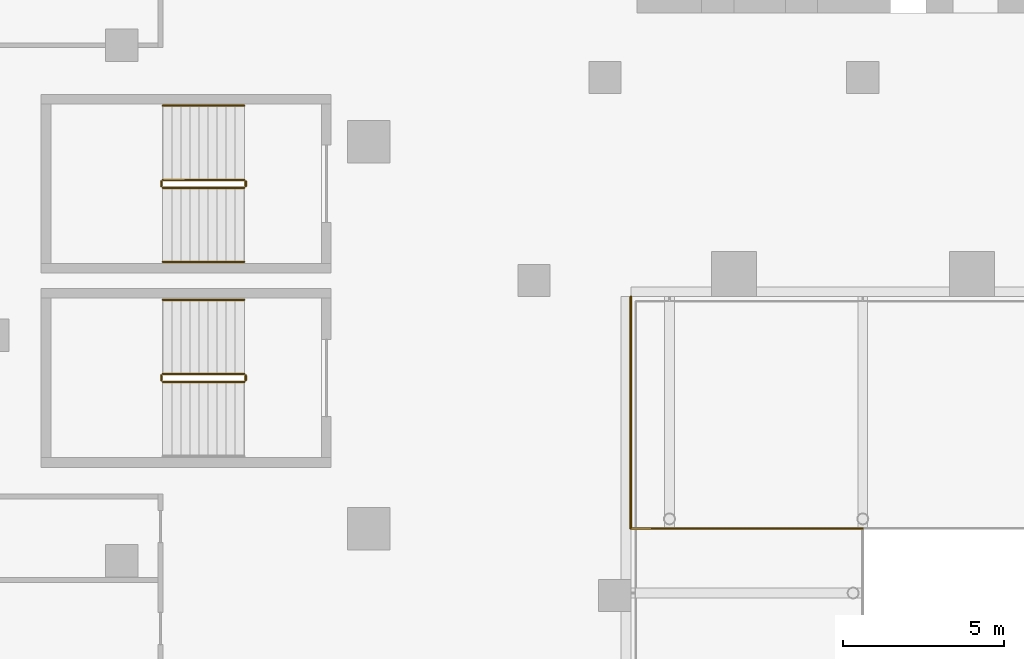
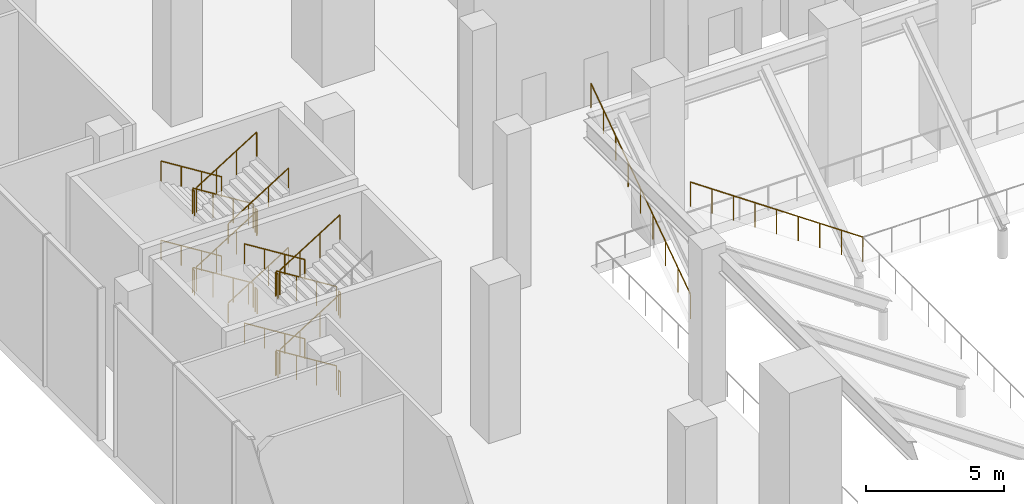
# One storey, part 34 of 41: 24 railings.
"""IFC4 building model written with IfcOpenShell, lengths in metres."""

from ifc_helpers import new_model, si_unit, direction, frame, origin, origin_2d, place, context, subcontext, project, spatial, circle, extrude, material, type_object, element, save


model = new_model("IFC4")

# Units and contexts
model_context = context("Model", 3, precision=1e-05, world=origin(), true_north=direction((0.0, 1.0)))
body_context = subcontext(model_context, "Body", "Model", "MODEL_VIEW")
ifc_project = project(units=[si_unit("LENGTHUNIT", "METRE"), si_unit("AREAUNIT", "SQUARE_METRE"), si_unit("VOLUMEUNIT", "CUBIC_METRE"), si_unit("PLANEANGLEUNIT", "RADIAN"), si_unit("MASSUNIT", "GRAM", prefix="KILO")], contexts=[model_context])

# Site, building, storey
site_placement = place(None, origin())
site = spatial("IfcSite", under=ifc_project, at=site_placement, CompositionType="ELEMENT")
building_placement = place(site_placement, origin())
building = spatial("IfcBuilding", under=site, at=building_placement, Name="Wharfspan Tower", CompositionType="ELEMENT")
storey_placement = place(building_placement, frame((0.0, 0.0, 8.0)))
storey = spatial("IfcBuildingStorey", under=building, at=storey_placement, Name="L01", CompositionType="ELEMENT", Elevation=8.0)

# Railings
ifc_material = material(Name="Steel S355J2", Category="steel")
railing_type_1 = type_object("IfcRailingType", Name="Guard 1100", PredefinedType="GUARDRAIL", material=ifc_material)
railing_1_placement = place(storey_placement, frame((16.0, 18.0, 2.050049)))
element("IfcRailing", 1, at=railing_1_placement, inside=storey, type_object=railing_type_1, Name="Guard on the upper tier", PredefinedType="GUARDRAIL", context=body_context, shape_type="SweptSolid", body=[
    extrude(circle(Radius=0.024902, at=origin_2d()), frame((0.0, 0.0, 1.075195), z_axis=(-0.824043, 0.0, 0.566528), x_axis=(0.0, -1.0, 0.0)), (0.0, 0.0, 1.0), 8.737305),
    extrude(circle(Radius=0.02002, at=origin_2d()), origin(), (0.0, 0.0, 1.0), 1.050049),
    extrude(circle(Radius=0.02002, at=origin_2d()), frame((-0.899902, 0.0, 0.618652)), (0.0, 0.0, 1.0), 1.050049),
    extrude(circle(Radius=0.02002, at=origin_2d()), frame((-1.800049, 0.0, 1.237549)), (0.0, 0.0, 1.0), 1.050049),
    extrude(circle(Radius=0.02002, at=origin_2d()), frame((-2.699951, 0.0, 1.856201)), (0.0, 0.0, 1.0), 1.050049),
    extrude(circle(Radius=0.02002, at=origin_2d()), frame((-3.600098, 0.0, 2.475098)), (0.0, 0.0, 1.0), 1.050049),
    extrude(circle(Radius=0.02002, at=origin_2d()), frame((-4.5, 0.0, 3.09375)), (0.0, 0.0, 1.0), 1.050049),
    extrude(circle(Radius=0.02002, at=origin_2d()), frame((-5.399902, 0.0, 3.712402)), (0.0, 0.0, 1.0), 1.050049),
    extrude(circle(Radius=0.02002, at=origin_2d()), frame((-6.300049, 0.0, 4.331299)), (0.0, 0.0, 1.0), 1.050049),
    extrude(circle(Radius=0.02002, at=origin_2d()), frame((-7.199951, 0.0, 4.949951)), (0.0, 0.0, 1.0), 1.050049),
])
railing_2_placement = place(storey_placement, frame((8.800049, 18.0, 2.050049)))
element("IfcRailing", 2, at=railing_2_placement, inside=storey, type_object=railing_type_1, Name="Guard on the upper tier", PredefinedType="GUARDRAIL", context=body_context, shape_type="SweptSolid", body=[
    extrude(circle(Radius=0.024902, at=origin_2d()), frame((0.0, 0.0, 1.075195), z_axis=(0.0, 0.824043, 0.566528), x_axis=(-1.0, 0.0, 0.0)), (0.0, 0.0, 1.0), 8.737305),
    extrude(circle(Radius=0.02002, at=origin_2d()), origin(), (0.0, 0.0, 1.0), 1.050049),
    extrude(circle(Radius=0.02002, at=origin_2d()), frame((0.0, 0.899902, 0.618652)), (0.0, 0.0, 1.0), 1.050049),
    extrude(circle(Radius=0.02002, at=origin_2d()), frame((0.0, 1.800049, 1.237549)), (0.0, 0.0, 1.0), 1.050049),
    extrude(circle(Radius=0.02002, at=origin_2d()), frame((0.0, 2.699951, 1.856201)), (0.0, 0.0, 1.0), 1.050049),
    extrude(circle(Radius=0.02002, at=origin_2d()), frame((0.0, 3.600098, 2.475098)), (0.0, 0.0, 1.0), 1.050049),
    extrude(circle(Radius=0.02002, at=origin_2d()), frame((0.0, 4.5, 3.09375)), (0.0, 0.0, 1.0), 1.050049),
    extrude(circle(Radius=0.02002, at=origin_2d()), frame((0.0, 5.399902, 3.712402)), (0.0, 0.0, 1.0), 1.050049),
    extrude(circle(Radius=0.02002, at=origin_2d()), frame((0.0, 6.300049, 4.331299)), (0.0, 0.0, 1.0), 1.050049),
    extrude(circle(Radius=0.02002, at=origin_2d()), frame((0.0, 7.199951, 4.949951)), (0.0, 0.0, 1.0), 1.050049),
])
railing_type_2 = type_object("IfcRailingType", Name="Podium guard 1100", PredefinedType="GUARDRAIL", material=ifc_material)
railing_3_placement = place(storey_placement, frame((-3.199951, 22.800049, 0.175049)))
element("IfcRailing", 3, at=railing_3_placement, inside=storey, type_object=railing_type_2, Name="L01 AS3 stair guard 1", PredefinedType="GUARDRAIL", context=body_context, shape_type="SweptSolid", body=[
    extrude(circle(Radius=0.023926, at=origin_2d()), frame((0.0, 0.0, 1.076172), z_axis=(-0.848008, 0.0, 0.529984), x_axis=(0.0, -1.0, 0.0)), (0.0, 0.0, 1.0), 2.97168),
    extrude(circle(Radius=0.020996, at=origin_2d()), origin(), (0.0, 0.0, 1.0), 1.052002),
    extrude(circle(Radius=0.020996, at=origin_2d()), frame((-0.840088, 0.0, 0.524902)), (0.0, 0.0, 1.0), 1.052002),
    extrude(circle(Radius=0.020996, at=origin_2d()), frame((-1.679932, 0.0, 1.050049)), (0.0, 0.0, 1.0), 1.052002),
    extrude(circle(Radius=0.020996, at=origin_2d()), frame((-2.52002, 0.0, 1.574951)), (0.0, 0.0, 1.0), 1.052002),
])
railing_4_placement = place(storey_placement, frame((-5.77002, 22.75, 1.75)))
element("IfcRailing", 4, at=railing_4_placement, inside=storey, type_object=railing_type_2, Name="L01 AS3 stair guard 2", PredefinedType="GUARDRAIL", context=body_context, shape_type="SweptSolid", body=[
    extrude(circle(Radius=0.023926, at=origin_2d()), frame((0.0, 0.0, 1.076172), z_axis=(0.0, -1.0, 0.0), x_axis=(1.0, 0.0, 0.0)), (0.0, 0.0, 1.0), 0.149902),
    extrude(circle(Radius=0.020996, at=origin_2d()), origin(), (0.0, 0.0, 1.0), 1.052002),
    extrude(circle(Radius=0.020996, at=origin_2d()), frame((0.0, -0.149902, 0.0)), (0.0, 0.0, 1.0), 1.052002),
])
railing_5_placement = place(storey_placement, frame((-5.719971, 22.550049, 1.925049)))
element("IfcRailing", 5, at=railing_5_placement, inside=storey, type_object=railing_type_2, Name="L01 AS3 stair guard 3", PredefinedType="GUARDRAIL", context=body_context, shape_type="SweptSolid", body=[
    extrude(circle(Radius=0.023926, at=origin_2d()), frame((0.0, 0.0, 1.076172), z_axis=(0.848008, 0.0, 0.529984), x_axis=(0.0, 1.0, 0.0)), (0.0, 0.0, 1.0), 2.97168),
    extrude(circle(Radius=0.020996, at=origin_2d()), origin(), (0.0, 0.0, 1.0), 1.052002),
    extrude(circle(Radius=0.020996, at=origin_2d()), frame((0.840088, 0.0, 0.524902)), (0.0, 0.0, 1.0), 1.052002),
    extrude(circle(Radius=0.020996, at=origin_2d()), frame((1.679932, 0.0, 1.050049)), (0.0, 0.0, 1.0), 1.052002),
    extrude(circle(Radius=0.020996, at=origin_2d()), frame((2.52002, 0.0, 1.574951)), (0.0, 0.0, 1.0), 1.052002),
])
railing_6_placement = place(storey_placement, frame((-3.149902, 22.75, 3.5)))
element("IfcRailing", 6, at=railing_6_placement, inside=storey, type_object=railing_type_2, Name="L01 AS3 stair guard 4", PredefinedType="GUARDRAIL", context=body_context, shape_type="SweptSolid", body=[
    extrude(circle(Radius=0.023926, at=origin_2d()), frame((0.0, 0.0, 1.076172), z_axis=(0.0, -1.0, 0.0), x_axis=(1.0, 0.0, 0.0)), (0.0, 0.0, 1.0), 0.149902),
    extrude(circle(Radius=0.020996, at=origin_2d()), origin(), (0.0, 0.0, 1.0), 1.052002),
    extrude(circle(Radius=0.020996, at=origin_2d()), frame((0.0, -0.149902, 0.0)), (0.0, 0.0, 1.0), 1.052002),
])
railing_7_placement = place(storey_placement, frame((-3.199951, 22.800049, 3.675049)))
element("IfcRailing", 7, at=railing_7_placement, inside=storey, type_object=railing_type_2, Name="L01 AS3 stair guard 5", PredefinedType="GUARDRAIL", context=body_context, shape_type="SweptSolid", body=[
    extrude(circle(Radius=0.023926, at=origin_2d()), frame((0.0, 0.0, 1.076172), z_axis=(-0.848008, 0.0, 0.529984), x_axis=(0.0, -1.0, 0.0)), (0.0, 0.0, 1.0), 2.97168),
    extrude(circle(Radius=0.020996, at=origin_2d()), origin(), (0.0, 0.0, 1.0), 1.052002),
    extrude(circle(Radius=0.020996, at=origin_2d()), frame((-0.840088, 0.0, 0.524902)), (0.0, 0.0, 1.0), 1.052002),
    extrude(circle(Radius=0.020996, at=origin_2d()), frame((-1.679932, 0.0, 1.050049)), (0.0, 0.0, 1.0), 1.052002),
    extrude(circle(Radius=0.020996, at=origin_2d()), frame((-2.52002, 0.0, 1.574951)), (0.0, 0.0, 1.0), 1.052002),
])
railing_8_placement = place(storey_placement, frame((-5.77002, 22.75, 5.25)))
element("IfcRailing", 8, at=railing_8_placement, inside=storey, type_object=railing_type_2, Name="L01 AS3 stair guard 6", PredefinedType="GUARDRAIL", context=body_context, shape_type="SweptSolid", body=[
    extrude(circle(Radius=0.023926, at=origin_2d()), frame((0.0, 0.0, 1.076172), z_axis=(0.0, -1.0, 0.0), x_axis=(1.0, 0.0, 0.0)), (0.0, 0.0, 1.0), 0.149902),
    extrude(circle(Radius=0.020996, at=origin_2d()), origin(), (0.0, 0.0, 1.0), 1.052002),
    extrude(circle(Radius=0.020996, at=origin_2d()), frame((0.0, -0.149902, 0.0)), (0.0, 0.0, 1.0), 1.052002),
])
railing_9_placement = place(storey_placement, frame((-5.719971, 22.550049, 5.425049)))
element("IfcRailing", 9, at=railing_9_placement, inside=storey, type_object=railing_type_2, Name="L01 AS3 stair guard 7", PredefinedType="GUARDRAIL", context=body_context, shape_type="SweptSolid", body=[
    extrude(circle(Radius=0.023926, at=origin_2d()), frame((0.0, 0.0, 1.076172), z_axis=(0.848008, 0.0, 0.529984), x_axis=(0.0, 1.0, 0.0)), (0.0, 0.0, 1.0), 2.97168),
    extrude(circle(Radius=0.020996, at=origin_2d()), origin(), (0.0, 0.0, 1.0), 1.052002),
    extrude(circle(Radius=0.020996, at=origin_2d()), frame((0.840088, 0.0, 0.524902)), (0.0, 0.0, 1.0), 1.052002),
    extrude(circle(Radius=0.020996, at=origin_2d()), frame((1.679932, 0.0, 1.050049)), (0.0, 0.0, 1.0), 1.052002),
    extrude(circle(Radius=0.020996, at=origin_2d()), frame((2.52002, 0.0, 1.574951)), (0.0, 0.0, 1.0), 1.052002),
])
railing_10_placement = place(storey_placement, frame((-3.149902, 22.75, 0.0)))
element("IfcRailing", 10, at=railing_10_placement, inside=storey, type_object=railing_type_2, Name="L01 AS3 stair guard 8", PredefinedType="GUARDRAIL", context=body_context, shape_type="SweptSolid", body=[
    extrude(circle(Radius=0.023926, at=origin_2d()), frame((0.0, 0.0, 1.076172), z_axis=(0.0, -1.0, 0.0), x_axis=(1.0, 0.0, 0.0)), (0.0, 0.0, 1.0), 0.149902),
    extrude(circle(Radius=0.020996, at=origin_2d()), origin(), (0.0, 0.0, 1.0), 1.052002),
    extrude(circle(Radius=0.020996, at=origin_2d()), frame((0.0, -0.149902, 0.0)), (0.0, 0.0, 1.0), 1.052002),
])
railing_11_placement = place(storey_placement, frame((-3.199951, 28.824951, 0.175049)))
element("IfcRailing", 11, at=railing_11_placement, inside=storey, type_object=railing_type_2, Name="L01 PS3 stair guard 1", PredefinedType="GUARDRAIL", context=body_context, shape_type="SweptSolid", body=[
    extrude(circle(Radius=0.023926, at=origin_2d()), frame((0.0, 0.0, 1.076172), z_axis=(-0.848008, 0.0, 0.529984), x_axis=(0.0, -1.0, 0.0)), (0.0, 0.0, 1.0), 2.97168),
    extrude(circle(Radius=0.020996, at=origin_2d()), origin(), (0.0, 0.0, 1.0), 1.052002),
    extrude(circle(Radius=0.020996, at=origin_2d()), frame((-0.840088, 0.0, 0.524902)), (0.0, 0.0, 1.0), 1.052002),
    extrude(circle(Radius=0.020996, at=origin_2d()), frame((-1.679932, 0.0, 1.050049)), (0.0, 0.0, 1.0), 1.052002),
    extrude(circle(Radius=0.020996, at=origin_2d()), frame((-2.52002, 0.0, 1.574951)), (0.0, 0.0, 1.0), 1.052002),
])
railing_12_placement = place(storey_placement, frame((-5.77002, 28.774902, 1.75)))
element("IfcRailing", 12, at=railing_12_placement, inside=storey, type_object=railing_type_2, Name="L01 PS3 stair guard 2", PredefinedType="GUARDRAIL", context=body_context, shape_type="SweptSolid", body=[
    extrude(circle(Radius=0.023926, at=origin_2d()), frame((0.0, 0.0, 1.076172), z_axis=(0.0, -1.0, 0.0), x_axis=(1.0, 0.0, 0.0)), (0.0, 0.0, 1.0), 0.149902),
    extrude(circle(Radius=0.020996, at=origin_2d()), origin(), (0.0, 0.0, 1.0), 1.052002),
    extrude(circle(Radius=0.020996, at=origin_2d()), frame((0.0, -0.149902, 0.0)), (0.0, 0.0, 1.0), 1.052002),
])
railing_13_placement = place(storey_placement, frame((-5.719971, 28.574951, 1.925049)))
element("IfcRailing", 13, at=railing_13_placement, inside=storey, type_object=railing_type_2, Name="L01 PS3 stair guard 3", PredefinedType="GUARDRAIL", context=body_context, shape_type="SweptSolid", body=[
    extrude(circle(Radius=0.023926, at=origin_2d()), frame((0.0, 0.0, 1.076172), z_axis=(0.848008, 0.0, 0.529984), x_axis=(0.0, 1.0, 0.0)), (0.0, 0.0, 1.0), 2.97168),
    extrude(circle(Radius=0.020996, at=origin_2d()), origin(), (0.0, 0.0, 1.0), 1.052002),
    extrude(circle(Radius=0.020996, at=origin_2d()), frame((0.840088, 0.0, 0.524902)), (0.0, 0.0, 1.0), 1.052002),
    extrude(circle(Radius=0.020996, at=origin_2d()), frame((1.679932, 0.0, 1.050049)), (0.0, 0.0, 1.0), 1.052002),
    extrude(circle(Radius=0.020996, at=origin_2d()), frame((2.52002, 0.0, 1.574951)), (0.0, 0.0, 1.0), 1.052002),
])
railing_14_placement = place(storey_placement, frame((-3.149902, 28.774902, 3.5)))
element("IfcRailing", 14, at=railing_14_placement, inside=storey, type_object=railing_type_2, Name="L01 PS3 stair guard 4", PredefinedType="GUARDRAIL", context=body_context, shape_type="SweptSolid", body=[
    extrude(circle(Radius=0.023926, at=origin_2d()), frame((0.0, 0.0, 1.076172), z_axis=(0.0, -1.0, 0.0), x_axis=(1.0, 0.0, 0.0)), (0.0, 0.0, 1.0), 0.149902),
    extrude(circle(Radius=0.020996, at=origin_2d()), origin(), (0.0, 0.0, 1.0), 1.052002),
    extrude(circle(Radius=0.020996, at=origin_2d()), frame((0.0, -0.149902, 0.0)), (0.0, 0.0, 1.0), 1.052002),
])
railing_15_placement = place(storey_placement, frame((-3.199951, 28.824951, 3.675049)))
element("IfcRailing", 15, at=railing_15_placement, inside=storey, type_object=railing_type_2, Name="L01 PS3 stair guard 5", PredefinedType="GUARDRAIL", context=body_context, shape_type="SweptSolid", body=[
    extrude(circle(Radius=0.023926, at=origin_2d()), frame((0.0, 0.0, 1.076172), z_axis=(-0.848008, 0.0, 0.529984), x_axis=(0.0, -1.0, 0.0)), (0.0, 0.0, 1.0), 2.97168),
    extrude(circle(Radius=0.020996, at=origin_2d()), origin(), (0.0, 0.0, 1.0), 1.052002),
    extrude(circle(Radius=0.020996, at=origin_2d()), frame((-0.840088, 0.0, 0.524902)), (0.0, 0.0, 1.0), 1.052002),
    extrude(circle(Radius=0.020996, at=origin_2d()), frame((-1.679932, 0.0, 1.050049)), (0.0, 0.0, 1.0), 1.052002),
    extrude(circle(Radius=0.020996, at=origin_2d()), frame((-2.52002, 0.0, 1.574951)), (0.0, 0.0, 1.0), 1.052002),
])
railing_16_placement = place(storey_placement, frame((-5.77002, 28.774902, 5.25)))
element("IfcRailing", 16, at=railing_16_placement, inside=storey, type_object=railing_type_2, Name="L01 PS3 stair guard 6", PredefinedType="GUARDRAIL", context=body_context, shape_type="SweptSolid", body=[
    extrude(circle(Radius=0.023926, at=origin_2d()), frame((0.0, 0.0, 1.076172), z_axis=(0.0, -1.0, 0.0), x_axis=(1.0, 0.0, 0.0)), (0.0, 0.0, 1.0), 0.149902),
    extrude(circle(Radius=0.020996, at=origin_2d()), origin(), (0.0, 0.0, 1.0), 1.052002),
    extrude(circle(Radius=0.020996, at=origin_2d()), frame((0.0, -0.149902, 0.0)), (0.0, 0.0, 1.0), 1.052002),
])
railing_17_placement = place(storey_placement, frame((-5.719971, 28.574951, 5.425049)))
element("IfcRailing", 17, at=railing_17_placement, inside=storey, type_object=railing_type_2, Name="L01 PS3 stair guard 7", PredefinedType="GUARDRAIL", context=body_context, shape_type="SweptSolid", body=[
    extrude(circle(Radius=0.023926, at=origin_2d()), frame((0.0, 0.0, 1.076172), z_axis=(0.848008, 0.0, 0.529984), x_axis=(0.0, 1.0, 0.0)), (0.0, 0.0, 1.0), 2.97168),
    extrude(circle(Radius=0.020996, at=origin_2d()), origin(), (0.0, 0.0, 1.0), 1.052002),
    extrude(circle(Radius=0.020996, at=origin_2d()), frame((0.840088, 0.0, 0.524902)), (0.0, 0.0, 1.0), 1.052002),
    extrude(circle(Radius=0.020996, at=origin_2d()), frame((1.679932, 0.0, 1.050049)), (0.0, 0.0, 1.0), 1.052002),
    extrude(circle(Radius=0.020996, at=origin_2d()), frame((2.52002, 0.0, 1.574951)), (0.0, 0.0, 1.0), 1.052002),
])
railing_18_placement = place(storey_placement, frame((-3.149902, 28.774902, 0.0)))
element("IfcRailing", 18, at=railing_18_placement, inside=storey, type_object=railing_type_2, Name="L01 PS3 stair guard 8", PredefinedType="GUARDRAIL", context=body_context, shape_type="SweptSolid", body=[
    extrude(circle(Radius=0.023926, at=origin_2d()), frame((0.0, 0.0, 1.076172), z_axis=(0.0, -1.0, 0.0), x_axis=(1.0, 0.0, 0.0)), (0.0, 0.0, 1.0), 0.149902),
    extrude(circle(Radius=0.020996, at=origin_2d()), origin(), (0.0, 0.0, 1.0), 1.052002),
    extrude(circle(Radius=0.020996, at=origin_2d()), frame((0.0, -0.149902, 0.0)), (0.0, 0.0, 1.0), 1.052002),
])
railing_type_3 = type_object("IfcRailingType", Name="Podium stair handrail 900", PredefinedType="HANDRAIL", material=ifc_material)
for number, where, name in (
    (19, (-3.199951, 25.100098, 0.175049), "L01 AS3 stair handrail 1"),
    (20, (-3.199951, 25.100098, 3.675049), "L01 AS3 stair handrail 3"),
    (21, (-3.199951, 31.125, 0.175049), "L01 PS3 stair handrail 1"),
):
    element("IfcRailing", number, at=place(storey_placement, frame(where)), inside=storey, type_object=railing_type_3, Name=name, PredefinedType="HANDRAIL", context=body_context, shape_type="SweptSolid", body=[
        extrude(circle(Radius=0.023926, at=origin_2d()), frame((0.0, 0.0, 0.875977), z_axis=(-0.848008, 0.0, 0.529984), x_axis=(0.0, -1.0, 0.0)), (0.0, 0.0, 1.0), 2.97168),
        extrude(circle(Radius=0.020996, at=origin_2d()), origin(), (0.0, 0.0, 1.0), 0.851807),
        extrude(circle(Radius=0.020996, at=origin_2d()), frame((-0.840088, 0.0, 0.524902)), (0.0, 0.0, 1.0), 0.851807),
        extrude(circle(Radius=0.020996, at=origin_2d()), frame((-1.679932, 0.0, 1.050049)), (0.0, 0.0, 1.0), 0.851807),
        extrude(circle(Radius=0.020996, at=origin_2d()), frame((-2.52002, 0.0, 1.574951)), (0.0, 0.0, 1.0), 0.851807),
    ])
railing_19_placement = place(storey_placement, frame((-5.719971, 26.274902, 1.925049)))
element("IfcRailing", 22, at=railing_19_placement, inside=storey, type_object=railing_type_3, Name="L01 PS3 stair handrail 2", PredefinedType="HANDRAIL", context=body_context, shape_type="SweptSolid", body=[
    extrude(circle(Radius=0.023926, at=origin_2d()), frame((0.0, 0.0, 0.875977), z_axis=(0.848008, 0.0, 0.529984), x_axis=(0.0, 1.0, 0.0)), (0.0, 0.0, 1.0), 2.97168),
    extrude(circle(Radius=0.020996, at=origin_2d()), origin(), (0.0, 0.0, 1.0), 0.851807),
    extrude(circle(Radius=0.020996, at=origin_2d()), frame((0.840088, 0.0, 0.524902)), (0.0, 0.0, 1.0), 0.851807),
    extrude(circle(Radius=0.020996, at=origin_2d()), frame((1.679932, 0.0, 1.050049)), (0.0, 0.0, 1.0), 0.851807),
    extrude(circle(Radius=0.020996, at=origin_2d()), frame((2.52002, 0.0, 1.574951)), (0.0, 0.0, 1.0), 0.851807),
])
railing_20_placement = place(storey_placement, frame((-3.199951, 31.125, 3.675049)))
element("IfcRailing", 23, at=railing_20_placement, inside=storey, type_object=railing_type_3, Name="L01 PS3 stair handrail 3", PredefinedType="HANDRAIL", context=body_context, shape_type="SweptSolid", body=[
    extrude(circle(Radius=0.023926, at=origin_2d()), frame((0.0, 0.0, 0.875977), z_axis=(-0.848008, 0.0, 0.529984), x_axis=(0.0, -1.0, 0.0)), (0.0, 0.0, 1.0), 2.97168),
    extrude(circle(Radius=0.020996, at=origin_2d()), origin(), (0.0, 0.0, 1.0), 0.851807),
    extrude(circle(Radius=0.020996, at=origin_2d()), frame((-0.840088, 0.0, 0.524902)), (0.0, 0.0, 1.0), 0.851807),
    extrude(circle(Radius=0.020996, at=origin_2d()), frame((-1.679932, 0.0, 1.050049)), (0.0, 0.0, 1.0), 0.851807),
    extrude(circle(Radius=0.020996, at=origin_2d()), frame((-2.52002, 0.0, 1.574951)), (0.0, 0.0, 1.0), 0.851807),
])
railing_21_placement = place(storey_placement, frame((-5.719971, 26.274902, 5.425049)))
element("IfcRailing", 24, at=railing_21_placement, inside=storey, type_object=railing_type_3, Name="L01 PS3 stair handrail 4", PredefinedType="HANDRAIL", context=body_context, shape_type="SweptSolid", body=[
    extrude(circle(Radius=0.023926, at=origin_2d()), frame((0.0, 0.0, 0.875977), z_axis=(0.848008, 0.0, 0.529984), x_axis=(0.0, 1.0, 0.0)), (0.0, 0.0, 1.0), 2.97168),
    extrude(circle(Radius=0.020996, at=origin_2d()), origin(), (0.0, 0.0, 1.0), 0.851807),
    extrude(circle(Radius=0.020996, at=origin_2d()), frame((0.840088, 0.0, 0.524902)), (0.0, 0.0, 1.0), 0.851807),
    extrude(circle(Radius=0.020996, at=origin_2d()), frame((1.679932, 0.0, 1.050049)), (0.0, 0.0, 1.0), 0.851807),
    extrude(circle(Radius=0.020996, at=origin_2d()), frame((2.52002, 0.0, 1.574951)), (0.0, 0.0, 1.0), 0.851807),
])

save(model, "model.ifc")
